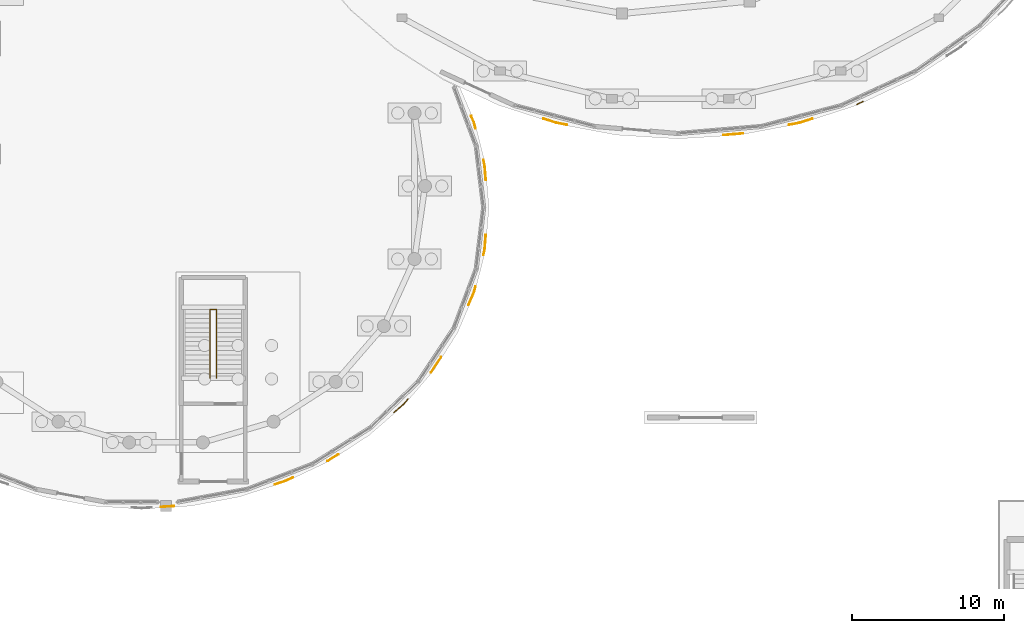
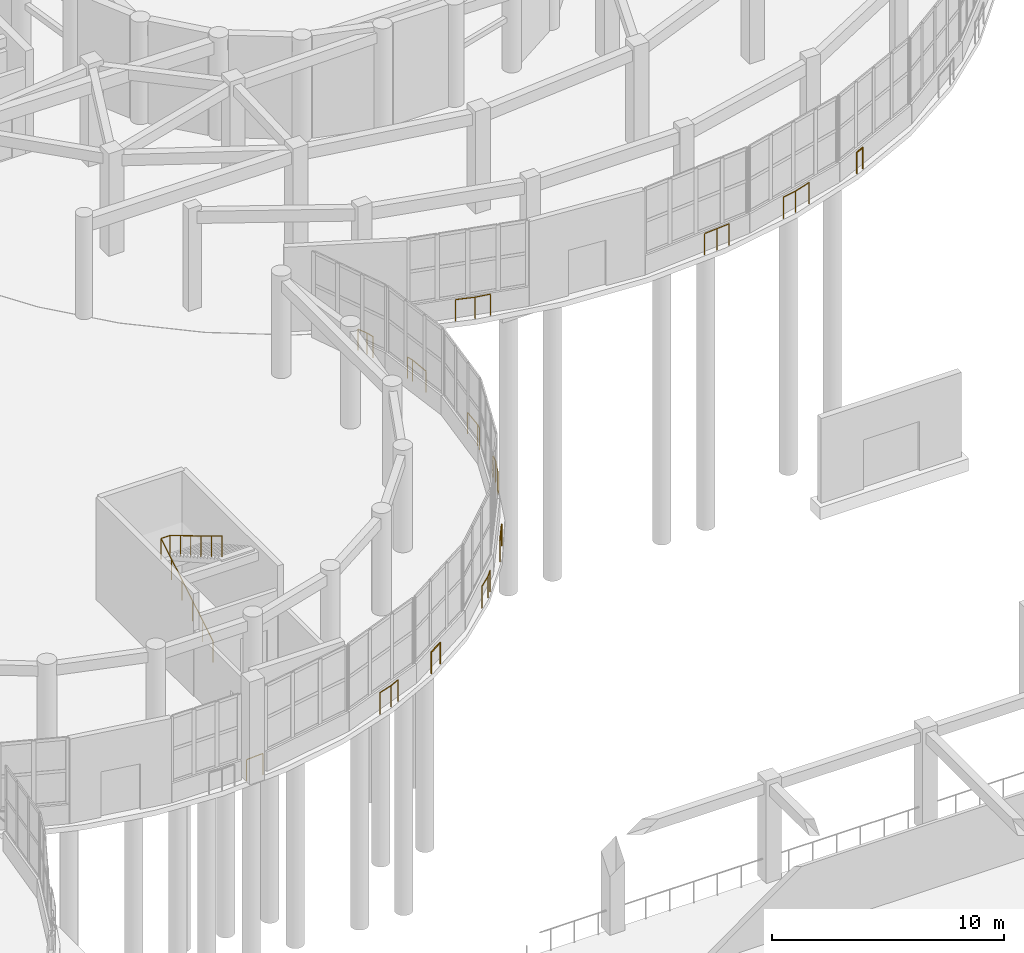
# One storey, part 86 of 96: 14 railings.
"""IFC4 building model written with IfcOpenShell, lengths in metres."""

import ifcopenshell
import ifcopenshell.guid

model = None  # the IFC model being written
_history = None  # IfcOwnerHistory: only IFC2X3 demands one
_inside = {}  # id of a spatial element -> (the spatial element, [elements in it])
_under = {}  # id of a project, library or spatial element -> (it, [spatial elements below it])
_declared = {}  # id of a project -> (the project, [libraries it declares])
_typed = {}  # id of a type object -> (the type object, [elements of that type])
_made_of = {}  # id of a material, layer set ... -> (it, [elements and type objects made of it])


def new_model(schema):
    """Start an empty IFC model of exactly this schema.

    Asked for "IFC4X3", IfcOpenShell would pick the latest addendum, in which some entities
    have other attributes; the version numbers below select the first issue.
    IFC2X3 requires an IfcOwnerHistory on every rooted entity: one is made here for all.
    """
    global model, _history
    if schema == "IFC4X3":
        model = ifcopenshell.file(schema_version=(4, 3, 0, 0))
    else:
        model = ifcopenshell.file(schema=schema)
    _inside.clear()
    _under.clear()
    _declared.clear()
    _typed.clear()
    _made_of.clear()
    _history = None
    if model.schema == "IFC2X3":
        org = make("IfcOrganization", Name="unknown")
        user = make(
            "IfcPersonAndOrganization",
            ThePerson=make("IfcPerson", FamilyName="unknown"),
            TheOrganization=org,
        )
        app = make(
            "IfcApplication",
            ApplicationDeveloper=org,
            Version="unknown",
            ApplicationFullName="unknown",
            ApplicationIdentifier="unknown",
        )
        _history = make(
            "IfcOwnerHistory",
            OwningUser=user,
            OwningApplication=app,
            ChangeAction="ADDED",
            CreationDate=0,
        )
    return model


def make(cls, **values):
    """One entity of the class cls with the attributes given. An attribute that is None is left unset."""
    return model.create_entity(
        cls, **{name: value for name, value in values.items() if value is not None}
    )


def rooted(cls, **values):
    """An entity with a GlobalId (a new one), such as an element, a storey or a relation."""
    return make(cls, GlobalId=ifcopenshell.guid.new(), OwnerHistory=_history, **values)


def si_unit(unit_type, name, prefix=None):
    """IfcSIUnit, for example si_unit("LENGTHUNIT", "METRE", prefix="MILLI")."""
    return make("IfcSIUnit", UnitType=unit_type, Prefix=prefix, Name=name)


def assignment(units):
    """IfcUnitAssignment: the units of a project."""
    return None if units is None else make("IfcUnitAssignment", Units=units)


def point(xyz):
    """IfcCartesianPoint."""
    return None if xyz is None else make("IfcCartesianPoint", Coordinates=xyz)


def direction(xyz):
    """IfcDirection."""
    return None if xyz is None else make("IfcDirection", DirectionRatios=xyz)


def frame(location, z_axis=None, x_axis=None):
    """IfcAxis2Placement3D, a coordinate frame: its origin and axes. An axis left out is left unset."""
    return make(
        "IfcAxis2Placement3D",
        Location=point(location),
        Axis=direction(z_axis),
        RefDirection=direction(x_axis),
    )


def frame_2d(location, x_axis=None):
    """IfcAxis2Placement2D, a coordinate frame in the plane: its origin and x axis."""
    return make(
        "IfcAxis2Placement2D", Location=point(location), RefDirection=direction(x_axis)
    )


def origin():
    """The frame at (0, 0, 0) with its axes left unset."""
    return frame((0.0, 0.0, 0.0))


def origin_2d():
    """The frame at (0, 0) in the plane with its x axis left unset."""
    return frame_2d((0.0, 0.0))


def place(relative_to, where):
    """IfcLocalPlacement: puts the frame where relative to a parent placement (None: the world)."""
    return make(
        "IfcLocalPlacement", PlacementRelTo=relative_to, RelativePlacement=where
    )


def context(
    kind, dimensions, precision=None, world=None, true_north=None, identifier=None
):
    """IfcGeometricRepresentationContext, for example the 3D "Model" context."""
    return make(
        "IfcGeometricRepresentationContext",
        ContextIdentifier=identifier,
        ContextType=kind,
        CoordinateSpaceDimension=dimensions,
        Precision=precision,
        WorldCoordinateSystem=world,
        TrueNorth=true_north,
    )


def subcontext(parent, identifier, kind, view, scale=None):
    """IfcGeometricRepresentationSubContext, for example "Body" below "Model"."""
    return make(
        "IfcGeometricRepresentationSubContext",
        ContextIdentifier=identifier,
        ContextType=kind,
        ParentContext=parent,
        TargetScale=scale,
        TargetView=view,
    )


def project(units=None, contexts=None):
    """IfcProject with its units and contexts."""
    return rooted(
        "IfcProject",
        Name="project",
        RepresentationContexts=contexts,
        UnitsInContext=assignment(units),
    )


def spatial(cls, under=None, at=None, **own):
    """A site, building, storey or space (cls), placed at a placement, below another one or the project."""
    s = rooted(cls, ObjectPlacement=at, **own)
    if under is not None:
        _under.setdefault(under.id(), (under, []))[1].append(s)
    return s


def profile(cls, at=None, kind="AREA", **sizes):
    """A parametric profile (cls). Its sizes go by their IFC names, for example OverallWidth=200.0."""
    return make(cls, ProfileType=kind, Position=at, **sizes)


def circle(**sizes):
    """IfcCircleProfileDef."""
    return profile("IfcCircleProfileDef", **sizes)


def extrude(swept, where, along, depth):
    """IfcExtrudedAreaSolid: the profile swept, set in the frame where, extruded along a direction by depth."""
    return make(
        "IfcExtrudedAreaSolid",
        SweptArea=swept,
        Position=where,
        ExtrudedDirection=direction(along),
        Depth=depth,
    )


def shape(context_of_items, identifier, shape_type, items):
    """IfcShapeRepresentation: the items that make up one representation, for example the "Body"."""
    return make(
        "IfcShapeRepresentation",
        ContextOfItems=context_of_items,
        RepresentationIdentifier=identifier,
        RepresentationType=shape_type,
        Items=items,
    )


def material(Name=None, Category=None):
    """IfcMaterial."""
    return make("IfcMaterial", Name=Name, Category=Category)


def made_of(thing, what):
    """Note that an element or type object is made of a material, layer set ...; save() writes the relation."""
    if what is not None:
        _made_of.setdefault(what.id(), (what, []))[1].append(thing)
    return thing


def type_object(cls, material=None, **own):
    """A type object (cls), such as IfcWallType, which elements share."""
    return made_of(rooted(cls, **own), material)


def element(
    cls,
    number,
    at=None,
    inside=None,
    cuts=None,
    type_object=None,
    material=None,
    context=None,
    identifier="Body",
    shape_type=None,
    held_by="IfcProductDefinitionShape",
    body=None,
    shapes=None,
    **own,
):
    """One element of the class cls, such as IfcWall. Its Tag is "e" and its number.

    at: its placement. inside: the storey or other place that contains it. cuts: it is an
    opening in that element (IfcRelVoidsElement). A single representation is given by context,
    identifier, shape_type and body (its items); several are given by shapes. held_by: the class
    of the entity that holds the representations. save() writes the other relations.
    """
    e = rooted(cls, Tag="e%d" % number, ObjectPlacement=at, **own)
    if body is not None:
        shapes = [shape(context, identifier, shape_type, body)]
    if shapes is not None:
        e.Representation = make(held_by, Representations=shapes)
    if inside is not None:
        _inside.setdefault(inside.id(), (inside, []))[1].append(e)
    if cuts is not None:
        rooted(
            "IfcRelVoidsElement", RelatingBuildingElement=cuts, RelatedOpeningElement=e
        )
    if type_object is not None:
        _typed.setdefault(type_object.id(), (type_object, []))[1].append(e)
    return made_of(e, material)


def aggregate(whole, parts):
    """IfcRelAggregates: a whole, such as a stair, and the parts it consists of."""
    return rooted("IfcRelAggregates", RelatingObject=whole, RelatedObjects=parts)


def save(model, path):
    """Write the relations noted so far, then the file.

    IfcRelAggregates (storeys below a building ...), IfcRelContainedInSpatialStructure (elements
    in a storey), IfcRelDefinesByType, IfcRelAssociatesMaterial and IfcRelDeclares: one each for
    every whole, place, type object, material and project.
    """
    for whole, parts in _under.values():
        aggregate(whole, parts)
    for where, things in _inside.values():
        rooted(
            "IfcRelContainedInSpatialStructure",
            RelatedElements=things,
            RelatingStructure=where,
        )
    for kind, things in _typed.values():
        rooted("IfcRelDefinesByType", RelatedObjects=things, RelatingType=kind)
    for what, things in _made_of.values():
        rooted("IfcRelAssociatesMaterial", RelatedObjects=things, RelatingMaterial=what)
    for by, libraries in _declared.values():
        rooted("IfcRelDeclares", RelatingContext=by, RelatedDefinitions=libraries)
    model.write(path)


model = new_model("IFC4")

# Units and contexts
model_context = context("Model", 3, precision=1e-05, world=origin(), true_north=direction((0.0, 1.0)))
body_context = subcontext(model_context, "Body", "Model", "MODEL_VIEW")
ifc_project = project(units=[si_unit("LENGTHUNIT", "METRE"), si_unit("AREAUNIT", "SQUARE_METRE"), si_unit("VOLUMEUNIT", "CUBIC_METRE"), si_unit("PLANEANGLEUNIT", "RADIAN"), si_unit("MASSUNIT", "GRAM", prefix="KILO")], contexts=[model_context])

# Site, building, storey
site_placement = place(None, origin())
site = spatial("IfcSite", under=ifc_project, at=site_placement, CompositionType="ELEMENT")
building_placement = place(site_placement, origin())
building = spatial("IfcBuilding", under=site, at=building_placement, Name="Pelvatis Terrace Science Centre", CompositionType="ELEMENT")
storey_placement = place(building_placement, origin())
storey = spatial("IfcBuildingStorey", under=building, at=storey_placement, Name="L00", CompositionType="ELEMENT", Elevation=0.0)

# Railings
ifc_material_1 = material(Name="Bronze-anodised aluminium and laminated safety glass balustrade", Category="aluminium")
railing_type_1 = type_object("IfcRailingType", Name="RLG-BAL-1150", PredefinedType="BALUSTRADE", material=ifc_material_1)
railing_1_placement = place(storey_placement, frame((123.753173828125, 60.147705078125, 0.0)))
element("IfcRailing", 1, at=railing_1_placement, inside=storey, type_object=railing_type_1, Name="Perimeter edge balustrade RLG-EDG-L00-044", PredefinedType="BALUSTRADE", context=body_context, shape_type="SweptSolid", body=[
    extrude(circle(Radius=0.02392578125, at=origin_2d()), frame((0.0, 0.0, 1.1259765625), z_axis=(-0.908453206639, -0.417986568382, 0.0), x_axis=(0.417986568382, -0.908453206639, 0.0)), (0.0, 0.0, 1.0), 0.447998046875),
    extrude(circle(Radius=0.02099609375, at=origin_2d()), origin(), (0.0, 0.0, 1.0), 1.101806640625),
    extrude(circle(Radius=0.02099609375, at=origin_2d()), frame((-0.406982421875, -0.187255859375, 0.0)), (0.0, 0.0, 1.0), 1.101806640625),
])
railing_2_placement = place(storey_placement, frame((120.419189453125, 59.0185546875, 0.0)))
element("IfcRailing", 2, at=railing_2_placement, inside=storey, type_object=railing_type_1, Name="Perimeter edge balustrade RLG-EDG-L00-045", PredefinedType="BALUSTRADE", context=body_context, shape_type="SweptSolid", body=[
    extrude(circle(Radius=0.02392578125, at=origin_2d()), frame((0.0, 0.0, 1.1259765625), z_axis=(-0.95197918368, -0.306162757108, 0.0), x_axis=(0.306162757108, -0.95197918368, 0.0)), (0.0, 0.0, 1.0), 0.874755859375),
    extrude(circle(Radius=0.02392578125, at=origin_2d()), frame((-0.832763671875, -0.267822265625, 1.1259765625), z_axis=(-0.982812764625, -0.184605172438, 0.0), x_axis=(0.184605172438, -0.982812764625, 0.0)), (0.0, 0.0, 1.0), 0.6982421875),
    extrude(circle(Radius=0.02099609375, at=origin_2d()), origin(), (0.0, 0.0, 1.0), 1.101806640625),
    extrude(circle(Radius=0.02099609375, at=origin_2d()), frame((-0.832763671875, -0.267822265625, 0.0)), (0.0, 0.0, 1.0), 1.101806640625),
    extrude(circle(Radius=0.02099609375, at=origin_2d()), frame((-1.51904296875, -0.396728515625, 0.0)), (0.0, 0.0, 1.0), 1.101806640625),
])
railing_3_placement = place(storey_placement, frame((115.869873046875, 58.05322265625, 0.0)))
element("IfcRailing", 3, at=railing_3_placement, inside=storey, type_object=railing_type_1, Name="Perimeter edge balustrade RLG-EDG-L00-046", PredefinedType="BALUSTRADE", context=body_context, shape_type="SweptSolid", body=[
    extrude(circle(Radius=0.02392578125, at=origin_2d()), frame((0.0, 0.0, 1.1259765625), z_axis=(-0.996429924435, -0.084423963962, 0.0), x_axis=(0.084423963962, -0.996429924435, 0.0)), (0.0, 0.0, 1.0), 1.289794921875),
    extrude(circle(Radius=0.02099609375, at=origin_2d()), origin(), (0.0, 0.0, 1.0), 1.101806640625),
    extrude(circle(Radius=0.02099609375, at=origin_2d()), frame((-0.642578125, -0.054443359375, 0.0)), (0.0, 0.0, 1.0), 1.101806640625),
    extrude(circle(Radius=0.02099609375, at=origin_2d()), frame((-1.28515625, -0.10888671875, 0.0)), (0.0, 0.0, 1.0), 1.101806640625),
])
railing_4_placement = place(storey_placement, frame((104.2998046875, 58.621826171875, 0.0)))
element("IfcRailing", 4, at=railing_4_placement, inside=storey, type_object=railing_type_1, Name="Perimeter edge balustrade RLG-EDG-L00-047", PredefinedType="BALUSTRADE", context=body_context, shape_type="SweptSolid", body=[
    extrude(circle(Radius=0.02392578125, at=origin_2d()), frame((0.0, 0.0, 1.1259765625), z_axis=(-0.982812764625, 0.184605172438, 0.0), x_axis=(-0.184605172438, -0.982812764625, 0.0)), (0.0, 0.0, 1.0), 0.6982421875),
    extrude(circle(Radius=0.02392578125, at=origin_2d()), frame((-0.686279296875, 0.12890625, 1.1259765625), z_axis=(-0.95197918368, 0.306162757108, 0.0), x_axis=(-0.306162757108, -0.95197918368, 0.0)), (0.0, 0.0, 1.0), 0.874755859375),
    extrude(circle(Radius=0.02099609375, at=origin_2d()), origin(), (0.0, 0.0, 1.0), 1.101806640625),
    extrude(circle(Radius=0.02099609375, at=origin_2d()), frame((-0.686279296875, 0.12890625, 0.0)), (0.0, 0.0, 1.0), 1.101806640625),
    extrude(circle(Radius=0.02099609375, at=origin_2d()), frame((-1.51904296875, 0.396728515625, 0.0)), (0.0, 0.0, 1.0), 1.101806640625),
])
railing_5_placement = place(storey_placement, frame((98.0283203125, 59.2041015625, 0.0)))
element("IfcRailing", 5, at=railing_5_placement, inside=storey, type_object=railing_type_1, Name="Perimeter edge balustrade RLG-EDG-L00-048", PredefinedType="BALUSTRADE", context=body_context, shape_type="SweptSolid", body=[
    extrude(circle(Radius=0.02392578125, at=origin_2d()), frame((0.0, 0.0, 1.1259765625), z_axis=(0.394649137086, -0.918831898988, 0.0), x_axis=(0.918831898988, 0.394649137086, 0.0)), (0.0, 0.0, 1.0), 0.484375),
    extrude(circle(Radius=0.02392578125, at=origin_2d()), frame((0.191162109375, -0.445068359375, 1.1259765625), z_axis=(0.242984600478, -0.970030145887, 0.0), x_axis=(0.970030145887, 0.242984600478, 0.0)), (0.0, 0.0, 1.0), 0.3837890625),
    extrude(circle(Radius=0.02099609375, at=origin_2d()), origin(), (0.0, 0.0, 1.0), 1.101806640625),
    extrude(circle(Radius=0.02099609375, at=origin_2d()), frame((0.191162109375, -0.445068359375, 0.0)), (0.0, 0.0, 1.0), 1.101806640625),
    extrude(circle(Radius=0.02099609375, at=origin_2d()), frame((0.284423828125, -0.8173828125, 0.0)), (0.0, 0.0, 1.0), 1.101806640625),
])
railing_6_placement = place(storey_placement, frame((98.832763671875, 56.310302734375, 0.0)))
element("IfcRailing", 6, at=railing_6_placement, inside=storey, type_object=railing_type_1, Name="Perimeter edge balustrade RLG-EDG-L00-049", PredefinedType="BALUSTRADE", context=body_context, shape_type="SweptSolid", body=[
    extrude(circle(Radius=0.02392578125, at=origin_2d()), frame((0.0, 0.0, 1.1259765625), z_axis=(0.242904342763, -0.970050246259, 0.0), x_axis=(0.970050246259, 0.242904342763, 0.0)), (0.0, 0.0, 1.0), 0.3115234375),
    extrude(circle(Radius=0.02392578125, at=origin_2d()), frame((0.07568359375, -0.30224609375, 1.1259765625), z_axis=(0.082282142362, -0.996609075339, 0.0), x_axis=(0.996609075339, 0.082282142362, 0.0)), (0.0, 0.0, 1.0), 1.005859375),
    extrude(circle(Radius=0.02099609375, at=origin_2d()), origin(), (0.0, 0.0, 1.0), 1.101806640625),
    extrude(circle(Radius=0.02099609375, at=origin_2d()), frame((0.07568359375, -0.30224609375, 0.0)), (0.0, 0.0, 1.0), 1.101806640625),
    extrude(circle(Radius=0.02099609375, at=origin_2d()), frame((0.158447265625, -1.3046875, 0.0)), (0.0, 0.0, 1.0), 1.101806640625),
])
railing_7_placement = place(storey_placement, frame((98.9912109375, 51.39453125, 0.0)))
element("IfcRailing", 7, at=railing_7_placement, inside=storey, type_object=railing_type_1, Name="Perimeter edge balustrade RLG-EDG-L00-050", PredefinedType="BALUSTRADE", context=body_context, shape_type="SweptSolid", body=[
    extrude(circle(Radius=0.02392578125, at=origin_2d()), frame((0.0, 0.0, 1.1259765625), z_axis=(-0.082282142362, -0.996609075339, 0.0), x_axis=(0.996609075339, -0.082282142362, 0.0)), (0.0, 0.0, 1.0), 1.005859375),
    extrude(circle(Radius=0.02392578125, at=origin_2d()), frame((-0.082763671875, -1.00244140625, 1.1259765625), z_axis=(-0.242904342763, -0.970050246259, 0.0), x_axis=(0.970050246259, -0.242904342763, 0.0)), (0.0, 0.0, 1.0), 0.3115234375),
    extrude(circle(Radius=0.02099609375, at=origin_2d()), origin(), (0.0, 0.0, 1.0), 1.101806640625),
    extrude(circle(Radius=0.02099609375, at=origin_2d()), frame((-0.082763671875, -1.00244140625, 0.0)), (0.0, 0.0, 1.0), 1.101806640625),
    extrude(circle(Radius=0.02099609375, at=origin_2d()), frame((-0.158447265625, -1.3046875, 0.0)), (0.0, 0.0, 1.0), 1.101806640625),
])
railing_8_placement = place(storey_placement, frame((98.312744140625, 48.013427734375, 0.0)))
element("IfcRailing", 8, at=railing_8_placement, inside=storey, type_object=railing_type_1, Name="Perimeter edge balustrade RLG-EDG-L00-051", PredefinedType="BALUSTRADE", context=body_context, shape_type="SweptSolid", body=[
    extrude(circle(Radius=0.02392578125, at=origin_2d()), frame((0.0, 0.0, 1.1259765625), z_axis=(-0.242984600478, -0.970030145887, 0.0), x_axis=(0.970030145887, -0.242984600478, 0.0)), (0.0, 0.0, 1.0), 0.3837890625),
    extrude(circle(Radius=0.02392578125, at=origin_2d()), frame((-0.09326171875, -0.372314453125, 1.1259765625), z_axis=(-0.394649990567, -0.918831532407, 0.0), x_axis=(0.918831532407, -0.394649990567, 0.0)), (0.0, 0.0, 1.0), 0.92724609375),
    extrude(circle(Radius=0.02099609375, at=origin_2d()), origin(), (0.0, 0.0, 1.0), 1.101806640625),
    extrude(circle(Radius=0.02099609375, at=origin_2d()), frame((-0.09326171875, -0.372314453125, 0.0)), (0.0, 0.0, 1.0), 1.101806640625),
    extrude(circle(Radius=0.02099609375, at=origin_2d()), frame((-0.459228515625, -1.224365234375, 0.0)), (0.0, 0.0, 1.0), 1.101806640625),
])
railing_9_placement = place(storey_placement, frame((96.056884765625, 43.365478515625, 0.0)))
element("IfcRailing", 9, at=railing_9_placement, inside=storey, type_object=railing_type_1, Name="Perimeter edge balustrade RLG-EDG-L00-052", PredefinedType="BALUSTRADE", context=body_context, shape_type="SweptSolid", body=[
    extrude(circle(Radius=0.02392578125, at=origin_2d()), frame((0.0, 0.0, 1.1259765625), z_axis=(-0.554511722138, -0.8321759129, 0.0), x_axis=(0.8321759129, -0.554511722138, 0.0)), (0.0, 0.0, 1.0), 1.19580078125),
    extrude(circle(Radius=0.02099609375, at=origin_2d()), origin(), (0.0, 0.0, 1.0), 1.101806640625),
    extrude(circle(Radius=0.02099609375, at=origin_2d()), frame((-0.6630859375, -0.9951171875, 0.0)), (0.0, 0.0, 1.0), 1.101806640625),
])
railing_10_placement = place(storey_placement, frame((93.882080078125, 40.616943359375, 0.0)))
element("IfcRailing", 10, at=railing_10_placement, inside=storey, type_object=railing_type_1, Name="Perimeter edge balustrade RLG-EDG-L00-053", PredefinedType="BALUSTRADE", context=body_context, shape_type="SweptSolid", body=[
    extrude(circle(Radius=0.02392578125, at=origin_2d()), frame((0.0, 0.0, 1.1259765625), z_axis=(-0.653068478625, -0.757298859253, 0.0), x_axis=(0.757298859253, -0.653068478625, 0.0)), (0.0, 0.0, 1.0), 0.44970703125),
    extrude(circle(Radius=0.02392578125, at=origin_2d()), frame((-0.293701171875, -0.340576171875, 1.1259765625), z_axis=(-0.754951634779, -0.655780473287, 0.0), x_axis=(0.655780473287, -0.754951634779, 0.0)), (0.0, 0.0, 1.0), 0.81982421875),
    extrude(circle(Radius=0.02099609375, at=origin_2d()), origin(), (0.0, 0.0, 1.0), 1.101806640625),
    extrude(circle(Radius=0.02099609375, at=origin_2d()), frame((-0.293701171875, -0.340576171875, 0.0)), (0.0, 0.0, 1.0), 1.101806640625),
    extrude(circle(Radius=0.02099609375, at=origin_2d()), frame((-0.91259765625, -0.878173828125, 0.0)), (0.0, 0.0, 1.0), 1.101806640625),
])
railing_11_placement = place(storey_placement, frame((89.3076171875, 36.99267578125, 0.0)))
element("IfcRailing", 11, at=railing_11_placement, inside=storey, type_object=railing_type_1, Name="Perimeter edge balustrade RLG-EDG-L00-054", PredefinedType="BALUSTRADE", context=body_context, shape_type="SweptSolid", body=[
    extrude(circle(Radius=0.02392578125, at=origin_2d()), frame((0.0, 0.0, 1.1259765625), z_axis=(-0.846197922266, -0.532868723376, 0.0), x_axis=(0.532868723376, -0.846197922266, 0.0)), (0.0, 0.0, 1.0), 0.8173828125),
    extrude(circle(Radius=0.02099609375, at=origin_2d()), origin(), (0.0, 0.0, 1.0), 1.101806640625),
    extrude(circle(Radius=0.02099609375, at=origin_2d()), frame((-0.691650390625, -0.435546875, 0.0)), (0.0, 0.0, 1.0), 1.101806640625),
])
railing_12_placement = place(storey_placement, frame((86.330078125, 35.47314453125, 0.0)))
element("IfcRailing", 12, at=railing_12_placement, inside=storey, type_object=railing_type_1, Name="Perimeter edge balustrade RLG-EDG-L00-055", PredefinedType="BALUSTRADE", context=body_context, shape_type="SweptSolid", body=[
    extrude(circle(Radius=0.02392578125, at=origin_2d()), frame((0.0, 0.0, 1.1259765625), z_axis=(-0.903504119508, -0.428579404581, 0.0), x_axis=(0.428579404581, -0.903504119508, 0.0)), (0.0, 0.0, 1.0), 0.531982421875),
    extrude(circle(Radius=0.02392578125, at=origin_2d()), frame((-0.480712890625, -0.22802734375, 1.1259765625), z_axis=(-0.951348541055, -0.308116785379, 0.0), x_axis=(0.308116785379, -0.951348541055, 0.0)), (0.0, 0.0, 1.0), 0.723388671875),
    extrude(circle(Radius=0.02099609375, at=origin_2d()), origin(), (0.0, 0.0, 1.0), 1.101806640625),
    extrude(circle(Radius=0.02099609375, at=origin_2d()), frame((-0.480712890625, -0.22802734375, 0.0)), (0.0, 0.0, 1.0), 1.101806640625),
    extrude(circle(Radius=0.02099609375, at=origin_2d()), frame((-1.1689453125, -0.450927734375, 0.0)), (0.0, 0.0, 1.0), 1.101806640625),
])
railing_13_placement = place(storey_placement, frame((78.5078125, 33.591064453125, 0.0)))
element("IfcRailing", 13, at=railing_13_placement, inside=storey, type_object=railing_type_1, Name="Perimeter edge balustrade RLG-EDG-L00-056", PredefinedType="BALUSTRADE", context=body_context, shape_type="SweptSolid", body=[
    extrude(circle(Radius=0.02392578125, at=origin_2d()), frame((0.0, 0.0, 1.1259765625), z_axis=(-0.998076071228, -0.062001258398, 0.0), x_axis=(0.062001258398, -0.998076071228, 0.0)), (0.0, 0.0, 1.0), 0.8466796875),
    extrude(circle(Radius=0.02099609375, at=origin_2d()), origin(), (0.0, 0.0, 1.0), 1.101806640625),
    extrude(circle(Radius=0.02099609375, at=origin_2d()), frame((-0.844970703125, -0.052490234375, 0.0)), (0.0, 0.0, 1.0), 1.101806640625),
])
ifc_material_2 = material(Name="Brushed architectural bronze tubular railing", Category="steel")
railing_type_2 = type_object("IfcRailingType", Name="RLG-GRD-1120", PredefinedType="GUARDRAIL", material=ifc_material_2)
railing_14_placement = place(storey_placement, frame((80.8798828125, 42.0, 0.0)))
element("IfcRailing", 14, at=railing_14_placement, inside=storey, type_object=railing_type_2, Name="Stair ST-06-L00 inner well guard", PredefinedType="GUARDRAIL", context=body_context, shape_type="SweptSolid", body=[
    extrude(circle(Radius=0.02392578125, at=origin_2d()), frame((0.0, 0.0, 1.09619140625), z_axis=(0.0, 0.857497030584, 0.514488913912), x_axis=(-1.0, 0.0, 0.0)), (0.0, 0.0, 1.0), 5.247802734375),
    extrude(circle(Radius=0.02392578125, at=origin_2d()), frame((0.0, 4.5, 3.7958984375), z_axis=(1.0, 0.0, 0.0), x_axis=(0.0, 1.0, 0.0)), (0.0, 0.0, 1.0), 0.440185546875),
    extrude(circle(Radius=0.02392578125, at=origin_2d()), frame((0.440185546875, 4.5, 3.7958984375), z_axis=(0.0, -0.857497030584, 0.514488913912), x_axis=(1.0, 0.0, 0.0)), (0.0, 0.0, 1.0), 5.247802734375),
    extrude(circle(Radius=0.02099609375, at=origin_2d()), origin(), (0.0, 0.0, 1.0), 1.072021484375),
    extrude(circle(Radius=0.02099609375, at=origin_2d()), frame((0.0, 0.89990234375, 0.5400390625)), (0.0, 0.0, 1.0), 1.072021484375),
    extrude(circle(Radius=0.02099609375, at=origin_2d()), frame((0.0, 1.800048828125, 1.080078125)), (0.0, 0.0, 1.0), 1.072021484375),
    extrude(circle(Radius=0.02099609375, at=origin_2d()), frame((0.0, 2.699951171875, 1.619873046875)), (0.0, 0.0, 1.0), 1.072021484375),
    extrude(circle(Radius=0.02099609375, at=origin_2d()), frame((0.0, 3.60009765625, 2.159912109375)), (0.0, 0.0, 1.0), 1.072021484375),
    extrude(circle(Radius=0.02099609375, at=origin_2d()), frame((0.0, 4.5, 2.699951171875)), (0.0, 0.0, 1.0), 1.072021484375),
    extrude(circle(Radius=0.02099609375, at=origin_2d()), frame((0.440185546875, 4.5, 2.699951171875)), (0.0, 0.0, 1.0), 1.072021484375),
    extrude(circle(Radius=0.02099609375, at=origin_2d()), frame((0.440185546875, 3.60009765625, 3.239990234375)), (0.0, 0.0, 1.0), 1.072021484375),
    extrude(circle(Radius=0.02099609375, at=origin_2d()), frame((0.440185546875, 2.699951171875, 3.780029296875)), (0.0, 0.0, 1.0), 1.072021484375),
    extrude(circle(Radius=0.02099609375, at=origin_2d()), frame((0.440185546875, 1.800048828125, 4.31982421875)), (0.0, 0.0, 1.0), 1.072021484375),
    extrude(circle(Radius=0.02099609375, at=origin_2d()), frame((0.440185546875, 0.89990234375, 4.85986328125)), (0.0, 0.0, 1.0), 1.072021484375),
    extrude(circle(Radius=0.02099609375, at=origin_2d()), frame((0.440185546875, 0.0, 5.39990234375)), (0.0, 0.0, 1.0), 1.072021484375),
])

save(model, "model.ifc")
